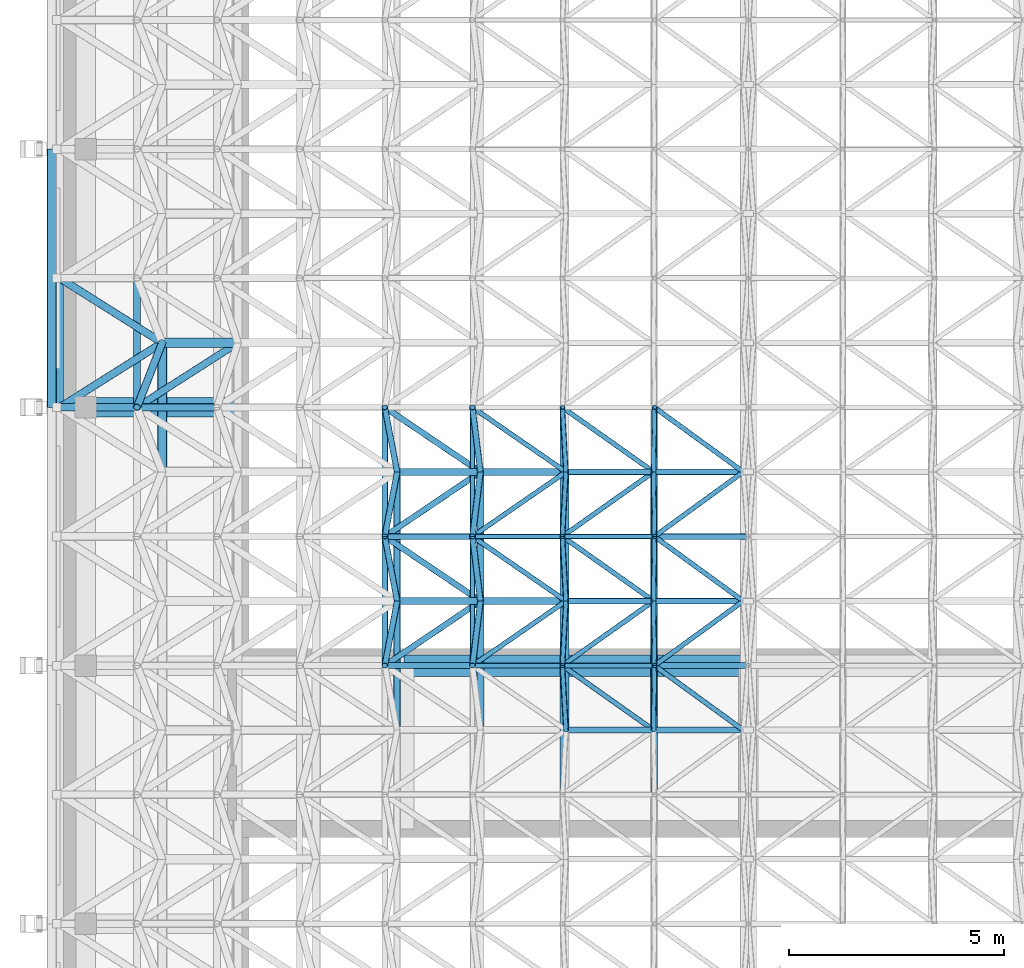
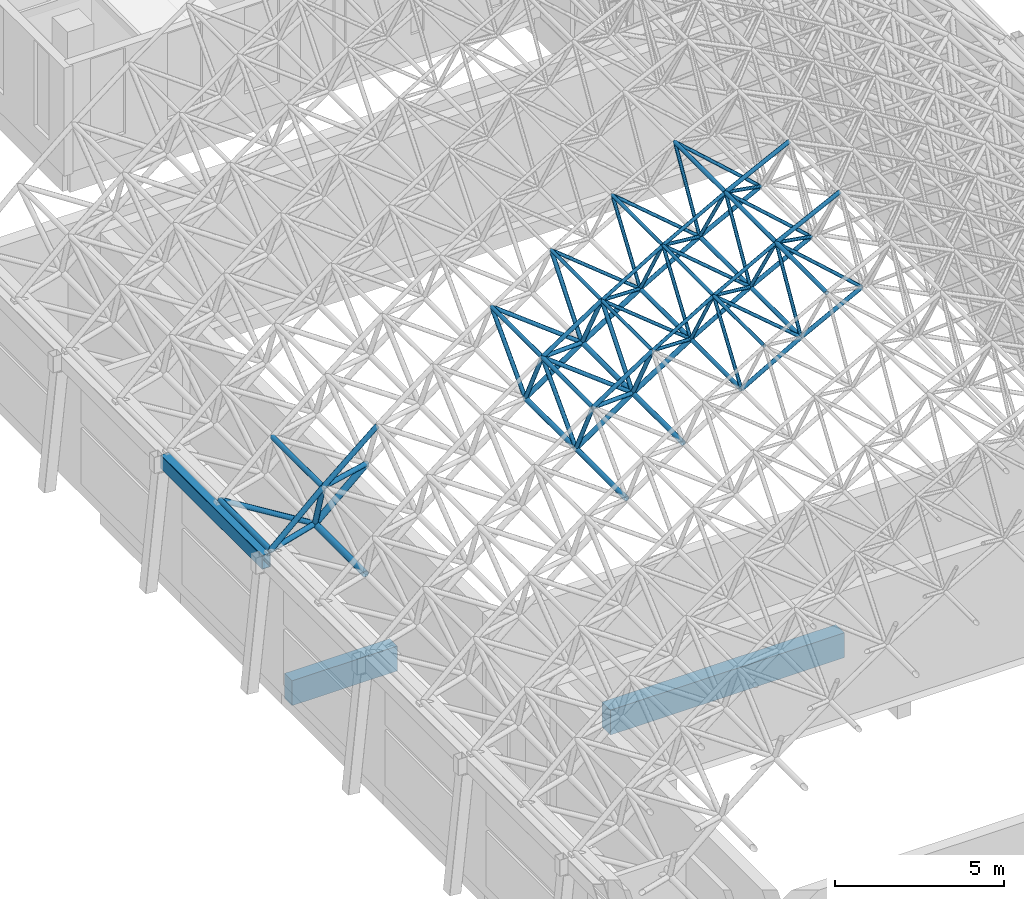
# One storey, part 17 of 141: 82 members, 3 beams.
"""IFC4 building model written with IfcOpenShell, lengths in metres."""

from ifc_helpers import new_model, si_unit, direction, frame, origin, origin_2d, place, context, subcontext, project, spatial, rectangle, hollow_rectangle, hollow_circle, extrude, material, material_profile, profile_set, type_object, element, save


model = new_model("IFC4")

# Units and contexts
model_context = context("Model", 3, precision=1e-05, world=origin(), true_north=direction((0.0, 1.0)))
body_context = subcontext(model_context, "Body", "Model", "MODEL_VIEW")
ifc_project = project(units=[si_unit("LENGTHUNIT", "METRE"), si_unit("AREAUNIT", "SQUARE_METRE"), si_unit("VOLUMEUNIT", "CUBIC_METRE"), si_unit("PLANEANGLEUNIT", "RADIAN"), si_unit("MASSUNIT", "GRAM", prefix="KILO")], contexts=[model_context])

# Site, building, storey
site_placement = place(None, origin())
site = spatial("IfcSite", under=ifc_project, at=site_placement, CompositionType="ELEMENT")
building_placement = place(site_placement, origin())
building = spatial("IfcBuilding", under=site, at=building_placement, Name="Lantern Court Media Centre", CompositionType="ELEMENT")
storey_placement = place(building_placement, frame((0.0, 0.0, 9.60009765625)))
storey = spatial("IfcBuildingStorey", under=building, at=storey_placement, Name="L02", CompositionType="ELEMENT", Elevation=9.60009765625)

# Members
ifc_material_1 = material(Name="Steel S355J2 (EN 10025-2)", Category="steel")
ifc_material_profile_1 = material_profile(ifc_material_1, hollow_circle(Radius=0.06982421875, WallThickness=0.00634765625, at=origin_2d()), Name="Cinema Hall bottom CHS 139.7x6.3")
ifc_profile_set_1 = profile_set([ifc_material_profile_1], Name="Steel S355J2 (EN 10025-2)")
member_type_1 = type_object("IfcMemberType", Name="Cinema Hall bottom CHS 139.7x6.3", PredefinedType="CHORD", material=ifc_profile_set_1)
for number, where, z_axis, x_axis, name in (
    (1, (11.76025390625, 14.5, 11.04443359375), (0.0, 1.0, 0.0), (-1.0, 0.0, 0.0), "Cinema Hall bottom chord 06-06"),
    (2, (13.796875, 14.5, 12.21337890625), (0.0, 1.0, 0.0), (-1.0, 0.0, 0.0), "Cinema Hall bottom chord 07-06"),
    (3, (11.76025390625, 17.5, 11.04443359375), (0.0, 1.0, 0.0), (-1.0, 0.0, 0.0), "Cinema Hall bottom chord 06-07"),
    (4, (13.796875, 17.5, 12.21337890625), (0.0, 1.0, 0.0), (-1.0, 0.0, 0.0), "Cinema Hall bottom chord 07-07"),
):
    element("IfcMember", number, at=place(storey_placement, frame(where, z_axis=z_axis, x_axis=x_axis)), inside=storey, type_object=member_type_1, Name=name, PredefinedType="CHORD", context=body_context, shape_type="SweptSolid", body=[
        extrude(hollow_circle(Radius=0.06982421875, WallThickness=0.00634765625, at=origin_2d()), origin(), (0.0, 0.0, 1.0), 3.0),
    ])
member_1_placement = place(storey_placement, frame((11.76025390625, 14.5, 11.04443359375), z_axis=(0.867294659253, 0.0, 0.497795112503), x_axis=(0.0, 1.0, 0.0)))
element("IfcMember", 5, at=member_1_placement, inside=storey, type_object=member_type_1, Name="Cinema Hall bottom chord 06-06 across", PredefinedType="CHORD", context=body_context, shape_type="SweptSolid", body=[
    extrude(hollow_circle(Radius=0.06982421875, WallThickness=0.00634765625, at=origin_2d()), origin(), (0.0, 0.0, 1.0), 2.34814453125),
])
member_2_placement = place(storey_placement, frame((13.796875, 14.5, 12.21337890625), z_axis=(0.88681645353, 0.0, 0.462121821329), x_axis=(0.0, 1.0, 0.0)))
element("IfcMember", 6, at=member_2_placement, inside=storey, type_object=member_type_1, Name="Cinema Hall bottom chord 07-06 across", PredefinedType="CHORD", context=body_context, shape_type="SweptSolid", body=[
    extrude(hollow_circle(Radius=0.06982421875, WallThickness=0.00634765625, at=origin_2d()), origin(), (0.0, 0.0, 1.0), 2.348388671875),
])
member_3_placement = place(storey_placement, frame((11.76025390625, 17.5, 11.04443359375), z_axis=(0.867294659253, 0.0, 0.497795112503), x_axis=(0.0, 1.0, 0.0)))
element("IfcMember", 7, at=member_3_placement, inside=storey, type_object=member_type_1, Name="Cinema Hall bottom chord 06-07 across", PredefinedType="CHORD", context=body_context, shape_type="SweptSolid", body=[
    extrude(hollow_circle(Radius=0.06982421875, WallThickness=0.00634765625, at=origin_2d()), origin(), (0.0, 0.0, 1.0), 2.34814453125),
])
member_4_placement = place(storey_placement, frame((13.796875, 17.5, 12.21337890625), z_axis=(0.88681645353, 0.0, 0.462121821329), x_axis=(0.0, 1.0, 0.0)))
element("IfcMember", 8, at=member_4_placement, inside=storey, type_object=member_type_1, Name="Cinema Hall bottom chord 07-07 across", PredefinedType="CHORD", context=body_context, shape_type="SweptSolid", body=[
    extrude(hollow_circle(Radius=0.06982421875, WallThickness=0.00634765625, at=origin_2d()), origin(), (0.0, 0.0, 1.0), 2.348388671875),
])
member_5_placement = place(storey_placement, frame((11.76025390625, 20.5, 11.04443359375), z_axis=(0.867294659253, 0.0, 0.497795112503), x_axis=(0.0, 1.0, 0.0)))
element("IfcMember", 9, at=member_5_placement, inside=storey, type_object=member_type_1, Name="Cinema Hall bottom chord 06-08 across", PredefinedType="CHORD", context=body_context, shape_type="SweptSolid", body=[
    extrude(hollow_circle(Radius=0.06982421875, WallThickness=0.00634765625, at=origin_2d()), origin(), (0.0, 0.0, 1.0), 2.34814453125),
])
member_6_placement = place(storey_placement, frame((13.796875, 20.5, 12.21337890625), z_axis=(0.88681645353, 0.0, 0.462121821329), x_axis=(0.0, 1.0, 0.0)))
element("IfcMember", 10, at=member_6_placement, inside=storey, type_object=member_type_1, Name="Cinema Hall bottom chord 07-08 across", PredefinedType="CHORD", context=body_context, shape_type="SweptSolid", body=[
    extrude(hollow_circle(Radius=0.06982421875, WallThickness=0.00634765625, at=origin_2d()), origin(), (0.0, 0.0, 1.0), 2.348388671875),
])
ifc_material_profile_2 = material_profile(ifc_material_1, hollow_circle(Radius=0.084228515625, WallThickness=0.00634765625, at=origin_2d()), Name="Cinema Hall bottom CHS 168.3x6.3")
ifc_profile_set_2 = profile_set([ifc_material_profile_2], Name="Steel S355J2 (EN 10025-2)")
member_type_2 = type_object("IfcMemberType", Name="Cinema Hall bottom CHS 168.3x6.3", PredefinedType="CHORD", material=ifc_profile_set_2)
for number, where, z_axis, x_axis, name in (
    (11, (9.772705078125, 14.5, 9.7939453125), (0.0, 1.0, 0.0), (-1.0, 0.0, 0.0), "Cinema Hall bottom chord 05-06"),
    (12, (9.772705078125, 17.5, 9.7939453125), (0.0, 1.0, 0.0), (-1.0, 0.0, 0.0), "Cinema Hall bottom chord 05-07"),
):
    element("IfcMember", number, at=place(storey_placement, frame(where, z_axis=z_axis, x_axis=x_axis)), inside=storey, type_object=member_type_2, Name=name, PredefinedType="CHORD", context=body_context, shape_type="SweptSolid", body=[
        extrude(hollow_circle(Radius=0.084228515625, WallThickness=0.00634765625, at=origin_2d()), origin(), (0.0, 0.0, 1.0), 3.0),
    ])
for number, where, z_axis, x_axis, name in (
    (13, (9.772705078125, 17.5, 9.7939453125), (0.846411623189, 0.0, 0.532529214344), (0.0, 1.0, 0.0), "Cinema Hall bottom chord 05-07 across"),
    (14, (9.772705078125, 20.5, 9.7939453125), (0.846411623189, 0.0, 0.532529214344), (0.0, 1.0, 0.0), "Cinema Hall bottom chord 05-08 across"),
):
    element("IfcMember", number, at=place(storey_placement, frame(where, z_axis=z_axis, x_axis=x_axis)), inside=storey, type_object=member_type_2, Name=name, PredefinedType="CHORD", context=body_context, shape_type="SweptSolid", body=[
        extrude(hollow_circle(Radius=0.084228515625, WallThickness=0.00634765625, at=origin_2d()), origin(), (0.0, 0.0, 1.0), 2.34814453125),
    ])
ifc_material_profile_3 = material_profile(ifc_material_1, hollow_circle(Radius=0.084228515625, WallThickness=0.008056640625, at=origin_2d()), Name="Cinema Hall bottom CHS 168.3x8")
ifc_profile_set_3 = profile_set([ifc_material_profile_3], Name="Steel S355J2 (EN 10025-2)")
member_type_3 = type_object("IfcMemberType", Name="Cinema Hall bottom CHS 168.3x8", PredefinedType="CHORD", material=ifc_profile_set_3)
for number, where, z_axis, x_axis, name in (
    (15, (7.837646484375, 14.5, 8.463623046875), (0.0, 1.0, 0.0), (-1.0, 0.0, 0.0), "Cinema Hall bottom chord 04-06"),
    (16, (7.837646484375, 17.5, 8.463623046875), (0.0, 1.0, 0.0), (-1.0, 0.0, 0.0), "Cinema Hall bottom chord 04-07"),
):
    element("IfcMember", number, at=place(storey_placement, frame(where, z_axis=z_axis, x_axis=x_axis)), inside=storey, type_object=member_type_3, Name=name, PredefinedType="CHORD", context=body_context, shape_type="SweptSolid", body=[
        extrude(hollow_circle(Radius=0.084228515625, WallThickness=0.008056640625, at=origin_2d()), origin(), (0.0, 0.0, 1.0), 3.0),
    ])
for number, where, z_axis, x_axis, name in (
    (17, (7.837646484375, 17.5, 8.463623046875), (0.824047991233, 0.0, 0.56651999801), (0.0, 1.0, 0.0), "Cinema Hall bottom chord 04-07 across"),
    (18, (7.837646484375, 20.5, 8.463623046875), (0.824047991233, 0.0, 0.56651999801), (0.0, 1.0, 0.0), "Cinema Hall bottom chord 04-08 across"),
):
    element("IfcMember", number, at=place(storey_placement, frame(where, z_axis=z_axis, x_axis=x_axis)), inside=storey, type_object=member_type_3, Name=name, PredefinedType="CHORD", context=body_context, shape_type="SweptSolid", body=[
        extrude(hollow_circle(Radius=0.084228515625, WallThickness=0.008056640625, at=origin_2d()), origin(), (0.0, 0.0, 1.0), 2.34814453125),
    ])
ifc_material_profile_4 = material_profile(ifc_material_1, hollow_circle(Radius=0.109619140625, WallThickness=0.010009765625, at=origin_2d()), Name="Cinema Hall bottom CHS 219.1x10")
ifc_profile_set_4 = profile_set([ifc_material_profile_4], Name="Steel S355J2 (EN 10025-2)")
member_type_4 = type_object("IfcMemberType", Name="Cinema Hall bottom CHS 219.1x10", PredefinedType="CHORD", material=ifc_profile_set_4)
member_7_placement = place(storey_placement, frame((2.378662109375, 20.5, 4.016845703125), z_axis=(0.0, 1.0, 0.0), x_axis=(-1.0, 0.0, 0.0)))
element("IfcMember", 19, at=member_7_placement, inside=storey, type_object=member_type_4, Name="Cinema Hall bottom chord 01-08", PredefinedType="CHORD", context=body_context, shape_type="SweptSolid", body=[
    extrude(hollow_circle(Radius=0.109619140625, WallThickness=0.010009765625, at=origin_2d()), origin(), (0.0, 0.0, 1.0), 3.0),
])
member_8_placement = place(storey_placement, frame((2.378662109375, 23.5, 4.016845703125), z_axis=(0.749030294531, 0.0, 0.662535748375), x_axis=(0.0, 1.0, 0.0)))
element("IfcMember", 20, at=member_8_placement, inside=storey, type_object=member_type_4, Name="Cinema Hall bottom chord 01-09 across", PredefinedType="CHORD", context=body_context, shape_type="SweptSolid", body=[
    extrude(hollow_circle(Radius=0.109619140625, WallThickness=0.010009765625, at=origin_2d()), origin(), (0.0, 0.0, 1.0), 2.348388671875),
])
ifc_material_profile_5 = material_profile(ifc_material_1, hollow_circle(Radius=0.05712890625, WallThickness=0.0048828125, at=origin_2d()), Name="Cinema Hall diagonal CHS 114.3x5")
ifc_profile_set_5 = profile_set([ifc_material_profile_5], Name="Steel S355J2 (EN 10025-2)")
member_type_5 = type_object("IfcMemberType", Name="Cinema Hall diagonal CHS 114.3x5", PredefinedType="BRACE", material=ifc_profile_set_5)
for number, where, z_axis, x_axis, name in (
    (21, (15.87939453125, 14.5, 13.298583984375), (-0.706879781117, 0.513851085564, 0.486084392789), (-0.587989591395, -0.808868493892, 0.0), "Cinema Hall diagonal 08-06-4"),
    (22, (15.87939453125, 17.5, 13.298583984375), (-0.706879781117, -0.513851085564, 0.486084392789), (0.587989591395, -0.808868493892, 0.0), "Cinema Hall diagonal 08-07-1"),
    (23, (15.87939453125, 17.5, 13.298583984375), (-0.706879781117, 0.513851085564, 0.486084392789), (-0.587989591395, -0.808868493892, 0.0), "Cinema Hall diagonal 08-07-4"),
    (24, (15.87939453125, 20.5, 13.298583984375), (-0.706879781117, -0.513851085564, 0.486084392789), (0.587989591395, -0.808868493892, 0.0), "Cinema Hall diagonal 08-08-1"),
    (25, (15.87939453125, 20.5, 13.298583984375), (-0.706879781117, 0.513851085564, 0.486084392789), (-0.587989591395, -0.808868493892, 0.0), "Cinema Hall diagonal 08-08-4"),
):
    element("IfcMember", number, at=place(storey_placement, frame(where, z_axis=z_axis, x_axis=x_axis)), inside=storey, type_object=member_type_5, Name=name, PredefinedType="BRACE", context=body_context, shape_type="SweptSolid", body=[
        extrude(hollow_circle(Radius=0.05712890625, WallThickness=0.0048828125, at=origin_2d()), origin(), (0.0, 0.0, 1.0), 2.919189453125),
    ])
ifc_material_profile_6 = material_profile(ifc_material_1, hollow_circle(Radius=0.05712890625, WallThickness=0.00634765625, at=origin_2d()), Name="Cinema Hall diagonal CHS 114.3x6.3")
ifc_profile_set_6 = profile_set([ifc_material_profile_6], Name="Steel S355J2 (EN 10025-2)")
member_type_6 = type_object("IfcMemberType", Name="Cinema Hall diagonal CHS 114.3x6.3", PredefinedType="BRACE", material=ifc_profile_set_6)
for number, where, z_axis, x_axis, name in (
    (26, (11.76025390625, 14.5, 11.04443359375), (-0.028351859734, 0.513846095007, 0.857413763999), (-0.998481283351, -0.055091984872, 0.0), "Cinema Hall diagonal 06-06-3"),
    (27, (13.796875, 14.5, 12.21337890625), (0.006523580306, 0.513857402591, 0.857850810283), (-0.99991942426, 0.012694289566, 0.0), "Cinema Hall diagonal 07-06-3"),
    (28, (13.796875, 14.5, 12.21337890625), (-0.726033609038, 0.513852147671, 0.456980490702), (-0.577701627838, -0.816248019411, 0.0), "Cinema Hall diagonal 07-06-4"),
    (29, (11.76025390625, 17.5, 11.04443359375), (-0.744001537395, -0.513842788417, 0.427115091218), (0.568286154794, -0.822830994962, 0.0), "Cinema Hall diagonal 06-07-1"),
    (30, (11.76025390625, 17.5, 11.04443359375), (-0.028351859734, -0.513846095007, 0.857413763999), (0.998481283351, -0.055091984872, 0.0), "Cinema Hall diagonal 06-07-2"),
    (31, (11.76025390625, 17.5, 11.04443359375), (-0.028351859734, 0.513846095007, 0.857413763999), (-0.998481283351, -0.055091984872, 0.0), "Cinema Hall diagonal 06-07-3"),
    (32, (11.76025390625, 17.5, 11.04443359375), (-0.744001537395, 0.513842788417, 0.427115091218), (-0.568286154794, -0.822830994962, 0.0), "Cinema Hall diagonal 06-07-4"),
    (33, (13.796875, 17.5, 12.21337890625), (-0.726033609038, -0.513852147671, 0.456980490702), (0.577701627838, -0.816248019411, 0.0), "Cinema Hall diagonal 07-07-1"),
    (34, (13.796875, 17.5, 12.21337890625), (0.006523580306, -0.513857402591, 0.857850810283), (0.99991942426, 0.012694289566, 0.0), "Cinema Hall diagonal 07-07-2"),
    (35, (13.796875, 17.5, 12.21337890625), (0.006523580306, 0.513857402591, 0.857850810283), (-0.99991942426, 0.012694289566, 0.0), "Cinema Hall diagonal 07-07-3"),
    (36, (13.796875, 17.5, 12.21337890625), (-0.726033609038, 0.513852147671, 0.456980490702), (-0.577701627838, -0.816248019411, 0.0), "Cinema Hall diagonal 07-07-4"),
    (37, (11.76025390625, 20.5, 11.04443359375), (-0.744001537395, -0.513842788417, 0.427115091218), (0.568286154794, -0.822830994962, 0.0), "Cinema Hall diagonal 06-08-1"),
    (38, (11.76025390625, 20.5, 11.04443359375), (-0.028351859734, -0.513846095007, 0.857413763999), (0.998481283351, -0.055091984872, 0.0), "Cinema Hall diagonal 06-08-2"),
    (39, (11.76025390625, 20.5, 11.04443359375), (-0.028351859734, 0.513846095007, 0.857413763999), (-0.998481283351, -0.055091984872, 0.0), "Cinema Hall diagonal 06-08-3"),
    (40, (11.76025390625, 20.5, 11.04443359375), (-0.744001537395, 0.513842788417, 0.427115091218), (-0.568286154794, -0.822830994962, 0.0), "Cinema Hall diagonal 06-08-4"),
    (41, (13.796875, 20.5, 12.21337890625), (-0.726033609038, -0.513852147671, 0.456980490702), (0.577701627838, -0.816248019411, 0.0), "Cinema Hall diagonal 07-08-1"),
    (42, (13.796875, 20.5, 12.21337890625), (0.006523580306, -0.513857402591, 0.857850810283), (0.99991942426, 0.012694289566, 0.0), "Cinema Hall diagonal 07-08-2"),
    (43, (13.796875, 20.5, 12.21337890625), (0.006523580306, 0.513857402591, 0.857850810283), (-0.99991942426, 0.012694289566, 0.0), "Cinema Hall diagonal 07-08-3"),
    (44, (13.796875, 20.5, 12.21337890625), (-0.726033609038, 0.513852147671, 0.456980490702), (-0.577701627838, -0.816248019411, 0.0), "Cinema Hall diagonal 07-08-4"),
):
    element("IfcMember", number, at=place(storey_placement, frame(where, z_axis=z_axis, x_axis=x_axis)), inside=storey, type_object=member_type_6, Name=name, PredefinedType="BRACE", context=body_context, shape_type="SweptSolid", body=[
        extrude(hollow_circle(Radius=0.05712890625, WallThickness=0.00634765625, at=origin_2d()), origin(), (0.0, 0.0, 1.0), 2.919189453125),
    ])
ifc_material_profile_7 = material_profile(ifc_material_1, hollow_circle(Radius=0.06982421875, WallThickness=0.00634765625, at=origin_2d()), Name="Cinema Hall diagonal CHS 139.7x6.3")
ifc_profile_set_7 = profile_set([ifc_material_profile_7], Name="Steel S355J2 (EN 10025-2)")
member_type_7 = type_object("IfcMemberType", Name="Cinema Hall diagonal CHS 139.7x6.3", PredefinedType="BRACE", material=ifc_profile_set_7)
member_9_placement = place(storey_placement, frame((9.772705078125, 17.5, 9.7939453125), z_axis=(-0.760744068819, -0.513853513503, 0.396513591718), x_axis=(0.559735691147, -0.828671199003, 0.0)))
element("IfcMember", 45, at=member_9_placement, inside=storey, type_object=member_type_7, Name="Cinema Hall diagonal 05-07-1", PredefinedType="BRACE", context=body_context, shape_type="SweptSolid", body=[
    extrude(hollow_circle(Radius=0.06982421875, WallThickness=0.00634765625, at=origin_2d()), origin(), (0.0, 0.0, 1.0), 2.919189453125),
])
for number, where, z_axis, x_axis, name in (
    (46, (9.772705078125, 17.5, 9.7939453125), (-0.063147046974, -0.513874776966, 0.855537938409), (0.992534194664, -0.121966685705, 0.0), "Cinema Hall diagonal 05-07-2"),
    (47, (9.772705078125, 17.5, 9.7939453125), (-0.063147046974, 0.513874776966, 0.855537938409), (-0.992534194664, -0.121966685705, 0.0), "Cinema Hall diagonal 05-07-3"),
):
    element("IfcMember", number, at=place(storey_placement, frame(where, z_axis=z_axis, x_axis=x_axis)), inside=storey, type_object=member_type_7, Name=name, PredefinedType="BRACE", context=body_context, shape_type="SweptSolid", body=[
        extrude(hollow_circle(Radius=0.06982421875, WallThickness=0.00634765625, at=origin_2d()), origin(), (0.0, 0.0, 1.0), 2.9189453125),
    ])
for number, where, z_axis, x_axis, name in (
    (48, (9.772705078125, 17.5, 9.7939453125), (-0.760744068819, 0.513853513503, 0.396513591718), (-0.559735691147, -0.828671199003, 0.0), "Cinema Hall diagonal 05-07-4"),
    (49, (9.772705078125, 20.5, 9.7939453125), (-0.760744068819, -0.513853513503, 0.396513591718), (0.559735691147, -0.828671199003, 0.0), "Cinema Hall diagonal 05-08-1"),
):
    element("IfcMember", number, at=place(storey_placement, frame(where, z_axis=z_axis, x_axis=x_axis)), inside=storey, type_object=member_type_7, Name=name, PredefinedType="BRACE", context=body_context, shape_type="SweptSolid", body=[
        extrude(hollow_circle(Radius=0.06982421875, WallThickness=0.00634765625, at=origin_2d()), origin(), (0.0, 0.0, 1.0), 2.919189453125),
    ])
for number, where, z_axis, x_axis, name in (
    (50, (9.772705078125, 20.5, 9.7939453125), (-0.063147046974, -0.513874776966, 0.855537938409), (0.992534194664, -0.121966685705, 0.0), "Cinema Hall diagonal 05-08-2"),
    (51, (9.772705078125, 20.5, 9.7939453125), (-0.063147046974, 0.513874776966, 0.855537938409), (-0.992534194664, -0.121966685705, 0.0), "Cinema Hall diagonal 05-08-3"),
):
    element("IfcMember", number, at=place(storey_placement, frame(where, z_axis=z_axis, x_axis=x_axis)), inside=storey, type_object=member_type_7, Name=name, PredefinedType="BRACE", context=body_context, shape_type="SweptSolid", body=[
        extrude(hollow_circle(Radius=0.06982421875, WallThickness=0.00634765625, at=origin_2d()), origin(), (0.0, 0.0, 1.0), 2.9189453125),
    ])
member_10_placement = place(storey_placement, frame((9.772705078125, 20.5, 9.7939453125), z_axis=(-0.760744068819, 0.513853513503, 0.396513591718), x_axis=(-0.559735691147, -0.828671199003, 0.0)))
element("IfcMember", 52, at=member_10_placement, inside=storey, type_object=member_type_7, Name="Cinema Hall diagonal 05-08-4", PredefinedType="BRACE", context=body_context, shape_type="SweptSolid", body=[
    extrude(hollow_circle(Radius=0.06982421875, WallThickness=0.00634765625, at=origin_2d()), origin(), (0.0, 0.0, 1.0), 2.919189453125),
])
ifc_material_profile_8 = material_profile(ifc_material_1, hollow_circle(Radius=0.06982421875, WallThickness=0.008056640625, at=origin_2d()), Name="Cinema Hall diagonal CHS 139.7x8")
ifc_profile_set_8 = profile_set([ifc_material_profile_8], Name="Steel S355J2 (EN 10025-2)")
member_type_8 = type_object("IfcMemberType", Name="Cinema Hall diagonal CHS 139.7x8", PredefinedType="BRACE", material=ifc_profile_set_8)
for number, where, z_axis, x_axis, name in (
    (53, (7.837646484375, 17.5, 8.463623046875), (-0.09785614588, -0.51387022247, 0.852268484207), (0.982346962135, -0.187068025016, 0.0), "Cinema Hall diagonal 04-07-2"),
    (54, (7.837646484375, 17.5, 8.463623046875), (-0.09785614588, 0.51387022247, 0.852268484207), (-0.982346962135, -0.187068025016, 0.0), "Cinema Hall diagonal 04-07-3"),
    (55, (7.837646484375, 20.5, 8.463623046875), (-0.09785614588, -0.51387022247, 0.852268484207), (0.982346962135, -0.187068025016, 0.0), "Cinema Hall diagonal 04-08-2"),
    (56, (7.837646484375, 20.5, 8.463623046875), (-0.09785614588, 0.51387022247, 0.852268484207), (-0.982346962135, -0.187068025016, 0.0), "Cinema Hall diagonal 04-08-3"),
):
    element("IfcMember", number, at=place(storey_placement, frame(where, z_axis=z_axis, x_axis=x_axis)), inside=storey, type_object=member_type_8, Name=name, PredefinedType="BRACE", context=body_context, shape_type="SweptSolid", body=[
        extrude(hollow_circle(Radius=0.06982421875, WallThickness=0.008056640625, at=origin_2d()), origin(), (0.0, 0.0, 1.0), 2.9189453125),
    ])
ifc_material_profile_9 = material_profile(ifc_material_1, hollow_circle(Radius=0.084228515625, WallThickness=0.010009765625, at=origin_2d()), Name="Cinema Hall diagonal CHS 168.3x10")
ifc_profile_set_9 = profile_set([ifc_material_profile_9], Name="Steel S355J2 (EN 10025-2)")
member_type_9 = type_object("IfcMemberType", Name="Cinema Hall diagonal CHS 168.3x10", PredefinedType="BRACE", material=ifc_profile_set_9)
member_11_placement = place(storey_placement, frame((4.1376953125, 23.5, 5.57275390625), z_axis=(-0.803309435106, -0.513850408047, 0.301084223465), x_axis=(0.538854579896, -0.842398802068, 0.0)))
element("IfcMember", 57, at=member_11_placement, inside=storey, type_object=member_type_9, Name="Cinema Hall diagonal 02-09-1", PredefinedType="BRACE", context=body_context, shape_type="SweptSolid", body=[
    extrude(hollow_circle(Radius=0.084228515625, WallThickness=0.010009765625, at=origin_2d()), origin(), (0.0, 0.0, 1.0), 2.919189453125),
])
ifc_material_profile_10 = material_profile(ifc_material_1, hollow_circle(Radius=0.0888671875, WallThickness=0.010009765625, at=origin_2d()), Name="Cinema Hall diagonal CHS 177.8x10")
ifc_profile_set_10 = profile_set([ifc_material_profile_10], Name="Steel S355J2 (EN 10025-2)")
member_type_10 = type_object("IfcMemberType", Name="Cinema Hall diagonal CHS 177.8x10", PredefinedType="BRACE", material=ifc_profile_set_10)
for number, where, z_axis, x_axis, name in (
    (58, (2.378662109375, 23.5, 4.016845703125), (-0.814865608485, -0.513859622142, 0.268220671909), (0.533404912089, -0.845860035561, 0.0), "Cinema Hall diagonal 01-09-1"),
    (59, (2.378662109375, 23.5, 4.016845703125), (-0.200719513512, -0.513841954591, 0.834073211773), (0.93145734948, -0.36385052714, 0.0), "Cinema Hall diagonal 01-09-2"),
    (60, (2.378662109375, 23.5, 4.016845703125), (-0.814865608485, 0.513859622142, 0.268220671909), (-0.533404912089, -0.845860035561, 0.0), "Cinema Hall diagonal 01-09-4"),
):
    element("IfcMember", number, at=place(storey_placement, frame(where, z_axis=z_axis, x_axis=x_axis)), inside=storey, type_object=member_type_10, Name=name, PredefinedType="BRACE", context=body_context, shape_type="SweptSolid", body=[
        extrude(hollow_circle(Radius=0.0888671875, WallThickness=0.010009765625, at=origin_2d()), origin(), (0.0, 0.0, 1.0), 2.919189453125),
    ])

# Beam
ifc_material_profile_11 = material_profile(ifc_material_1, hollow_rectangle(XDim=0.300048828125, YDim=0.5, WallThickness=0.01611328125, InnerFilletRadius=0.01611328125, OuterFilletRadius=0.02392578125, at=origin_2d()), Name="Cinema Hall edge girder RHS 500x300x16")
ifc_profile_set_11 = profile_set([ifc_material_profile_11], Name="Steel S355J2 (EN 10025-2)")
beam_type_1 = type_object("IfcBeamType", Name="Cinema Hall edge girder RHS 500x300x16", PredefinedType="BEAM", material=ifc_profile_set_11)
beam_1_placement = place(storey_placement, frame((-0.14990234375, 22.0, 4.449951171875), z_axis=(0.0, 1.0, 0.0), x_axis=(-1.0, 0.0, 0.0)))
element("IfcBeam", 61, at=beam_1_placement, inside=storey, type_object=beam_type_1, Name="Cinema Hall edge girder west 5", PredefinedType="BEAM", context=body_context, shape_type="SweptSolid", body=[
    extrude(hollow_rectangle(XDim=0.300048828125, YDim=0.5, WallThickness=0.01611328125, InnerFilletRadius=0.01611328125, OuterFilletRadius=0.02392578125, at=origin_2d()), origin(), (0.0, 0.0, 1.0), 6.0),
])

# Members
ifc_material_profile_12 = material_profile(ifc_material_1, hollow_circle(Radius=0.05712890625, WallThickness=0.00634765625, at=origin_2d()), Name="Cinema Hall top CHS 114.3x6.3")
ifc_profile_set_12 = profile_set([ifc_material_profile_12], Name="Steel S355J2 (EN 10025-2)")
member_type_11 = type_object("IfcMemberType", Name="Cinema Hall top CHS 114.3x6.3", PredefinedType="CHORD", material=ifc_profile_set_12)
for number, where, z_axis, x_axis, name in (
    (62, (11.677490234375, 13.0, 13.54736328125), (0.0, 1.0, 0.0), (-1.0, 0.0, 0.0), "Cinema Hall top chord 07-06"),
    (63, (9.58837890625, 16.0, 12.291259765625), (0.0, 1.0, 0.0), (-1.0, 0.0, 0.0), "Cinema Hall top chord 06-07"),
    (64, (11.677490234375, 16.0, 13.54736328125), (0.0, 1.0, 0.0), (-1.0, 0.0, 0.0), "Cinema Hall top chord 07-07"),
    (65, (9.58837890625, 19.0, 12.291259765625), (0.0, 1.0, 0.0), (-1.0, 0.0, 0.0), "Cinema Hall top chord 06-08"),
    (66, (11.677490234375, 19.0, 13.54736328125), (0.0, 1.0, 0.0), (-1.0, 0.0, 0.0), "Cinema Hall top chord 07-08"),
):
    element("IfcMember", number, at=place(storey_placement, frame(where, z_axis=z_axis, x_axis=x_axis)), inside=storey, type_object=member_type_11, Name=name, PredefinedType="CHORD", context=body_context, shape_type="SweptSolid", body=[
        extrude(hollow_circle(Radius=0.05712890625, WallThickness=0.00634765625, at=origin_2d()), origin(), (0.0, 0.0, 1.0), 3.0),
    ])
for number, where, z_axis, x_axis, name in (
    (67, (9.58837890625, 16.0, 12.291259765625), (0.857015353865, 0.0, 0.515290872459), (0.0, 1.0, 0.0), "Cinema Hall top chord 06-07 across"),
    (68, (11.677490234375, 16.0, 13.54736328125), (0.87724791815, 0.0, 0.480037592384), (0.0, 1.0, 0.0), "Cinema Hall top chord 07-07 across"),
    (69, (9.58837890625, 19.0, 12.291259765625), (0.857015353865, 0.0, 0.515290872459), (0.0, 1.0, 0.0), "Cinema Hall top chord 06-08 across"),
    (70, (11.677490234375, 19.0, 13.54736328125), (0.87724791815, 0.0, 0.480037592384), (0.0, 1.0, 0.0), "Cinema Hall top chord 07-08 across"),
):
    element("IfcMember", number, at=place(storey_placement, frame(where, z_axis=z_axis, x_axis=x_axis)), inside=storey, type_object=member_type_11, Name=name, PredefinedType="CHORD", context=body_context, shape_type="SweptSolid", body=[
        extrude(hollow_circle(Radius=0.05712890625, WallThickness=0.00634765625, at=origin_2d()), origin(), (0.0, 0.0, 1.0), 2.437744140625),
    ])
ifc_material_profile_13 = material_profile(ifc_material_1, hollow_circle(Radius=0.06982421875, WallThickness=0.0048828125, at=origin_2d()), Name="Cinema Hall top CHS 139.7x5")
ifc_profile_set_13 = profile_set([ifc_material_profile_13], Name="Steel S355J2 (EN 10025-2)")
member_type_12 = type_object("IfcMemberType", Name="Cinema Hall top CHS 139.7x5", PredefinedType="CHORD", material=ifc_profile_set_13)
for number, where, z_axis, x_axis, name in (
    (71, (13.81591796875, 13.0, 14.717529296875), (0.0, 1.0, 0.0), (-1.0, 0.0, 0.0), "Cinema Hall top chord 08-06"),
    (72, (13.81591796875, 16.0, 14.717529296875), (0.0, 1.0, 0.0), (-1.0, 0.0, 0.0), "Cinema Hall top chord 08-07"),
    (73, (13.81591796875, 19.0, 14.717529296875), (0.0, 1.0, 0.0), (-1.0, 0.0, 0.0), "Cinema Hall top chord 08-08"),
):
    element("IfcMember", number, at=place(storey_placement, frame(where, z_axis=z_axis, x_axis=x_axis)), inside=storey, type_object=member_type_12, Name=name, PredefinedType="CHORD", context=body_context, shape_type="SweptSolid", body=[
        extrude(hollow_circle(Radius=0.06982421875, WallThickness=0.0048828125, at=origin_2d()), origin(), (0.0, 0.0, 1.0), 3.0),
    ])
for number, where, z_axis, x_axis, name in (
    (74, (13.81591796875, 16.0, 14.717529296875), (0.896023995237, 0.0, 0.444005630549), (0.0, 1.0, 0.0), "Cinema Hall top chord 08-07 across"),
    (75, (13.81591796875, 19.0, 14.717529296875), (0.896023995237, 0.0, 0.444005630549), (0.0, 1.0, 0.0), "Cinema Hall top chord 08-08 across"),
):
    element("IfcMember", number, at=place(storey_placement, frame(where, z_axis=z_axis, x_axis=x_axis)), inside=storey, type_object=member_type_12, Name=name, PredefinedType="CHORD", context=body_context, shape_type="SweptSolid", body=[
        extrude(hollow_circle(Radius=0.06982421875, WallThickness=0.0048828125, at=origin_2d()), origin(), (0.0, 0.0, 1.0), 2.4375),
    ])
ifc_material_profile_14 = material_profile(ifc_material_1, hollow_circle(Radius=0.06982421875, WallThickness=0.00634765625, at=origin_2d()), Name="Cinema Hall top CHS 139.7x6.3")
ifc_profile_set_14 = profile_set([ifc_material_profile_14], Name="Steel S355J2 (EN 10025-2)")
member_type_13 = type_object("IfcMemberType", Name="Cinema Hall top CHS 139.7x6.3", PredefinedType="CHORD", material=ifc_profile_set_14)
for number, where, z_axis, x_axis, name in (
    (76, (7.552001953125, 16.0, 10.951416015625), (0.0, 1.0, 0.0), (-1.0, 0.0, 0.0), "Cinema Hall top chord 05-07"),
    (77, (7.552001953125, 19.0, 10.951416015625), (0.0, 1.0, 0.0), (-1.0, 0.0, 0.0), "Cinema Hall top chord 05-08"),
):
    element("IfcMember", number, at=place(storey_placement, frame(where, z_axis=z_axis, x_axis=x_axis)), inside=storey, type_object=member_type_13, Name=name, PredefinedType="CHORD", context=body_context, shape_type="SweptSolid", body=[
        extrude(hollow_circle(Radius=0.06982421875, WallThickness=0.00634765625, at=origin_2d()), origin(), (0.0, 0.0, 1.0), 3.0),
    ])
for number, where, z_axis, x_axis, name in (
    (78, (7.552001953125, 16.0, 10.951416015625), (0.835394087943, 0.0, 0.549651451221), (0.0, 1.0, 0.0), "Cinema Hall top chord 05-07 across"),
    (79, (7.552001953125, 19.0, 10.951416015625), (0.835394087943, 0.0, 0.549651451221), (0.0, 1.0, 0.0), "Cinema Hall top chord 05-08 across"),
):
    element("IfcMember", number, at=place(storey_placement, frame(where, z_axis=z_axis, x_axis=x_axis)), inside=storey, type_object=member_type_13, Name=name, PredefinedType="CHORD", context=body_context, shape_type="SweptSolid", body=[
        extrude(hollow_circle(Radius=0.06982421875, WallThickness=0.00634765625, at=origin_2d()), origin(), (0.0, 0.0, 1.0), 2.437744140625),
    ])
ifc_material_profile_15 = material_profile(ifc_material_1, hollow_circle(Radius=0.084228515625, WallThickness=0.010009765625, at=origin_2d()), Name="Cinema Hall top CHS 168.3x10")
ifc_profile_set_15 = profile_set([ifc_material_profile_15], Name="Steel S355J2 (EN 10025-2)")
member_type_14 = type_object("IfcMemberType", Name="Cinema Hall top CHS 168.3x10", PredefinedType="CHORD", material=ifc_profile_set_15)
member_12_placement = place(storey_placement, frame((1.792724609375, 22.0, 6.45166015625), z_axis=(0.0, 1.0, 0.0), x_axis=(-1.0, 0.0, 0.0)))
element("IfcMember", 80, at=member_12_placement, inside=storey, type_object=member_type_14, Name="Cinema Hall top chord 02-09", PredefinedType="CHORD", context=body_context, shape_type="SweptSolid", body=[
    extrude(hollow_circle(Radius=0.084228515625, WallThickness=0.010009765625, at=origin_2d()), origin(), (0.0, 0.0, 1.0), 3.0),
])
member_13_placement = place(storey_placement, frame((1.792724609375, 22.0, 6.45166015625), z_axis=(0.762393833283, 0.0, 0.647113315403), x_axis=(0.0, 1.0, 0.0)))
element("IfcMember", 81, at=member_13_placement, inside=storey, type_object=member_type_14, Name="Cinema Hall top chord 02-09 across", PredefinedType="CHORD", context=body_context, shape_type="SweptSolid", body=[
    extrude(hollow_circle(Radius=0.084228515625, WallThickness=0.010009765625, at=origin_2d()), origin(), (0.0, 0.0, 1.0), 2.4375),
])
ifc_material_profile_16 = material_profile(ifc_material_1, hollow_circle(Radius=0.0888671875, WallThickness=0.010009765625, at=origin_2d()), Name="Cinema Hall top CHS 177.8x10")
ifc_profile_set_16 = profile_set([ifc_material_profile_16], Name="Steel S355J2 (EN 10025-2)")
member_type_15 = type_object("IfcMemberType", Name="Cinema Hall top CHS 177.8x10", PredefinedType="CHORD", material=ifc_profile_set_16)
member_14_placement = place(storey_placement, frame((0.0, 22.0, 4.7998046875), z_axis=(0.0, 1.0, 0.0), x_axis=(-1.0, 0.0, 0.0)))
element("IfcMember", 82, at=member_14_placement, inside=storey, type_object=member_type_15, Name="Cinema Hall top chord 01-09", PredefinedType="CHORD", context=body_context, shape_type="SweptSolid", body=[
    extrude(hollow_circle(Radius=0.0888671875, WallThickness=0.010009765625, at=origin_2d()), origin(), (0.0, 0.0, 1.0), 3.0),
])
member_15_placement = place(storey_placement, frame((0.0, 22.0, 4.7998046875), z_axis=(0.735409817039, 0.0, 0.677622609572), x_axis=(0.0, 1.0, 0.0)))
element("IfcMember", 83, at=member_15_placement, inside=storey, type_object=member_type_15, Name="Cinema Hall top chord 01-09 across", PredefinedType="CHORD", context=body_context, shape_type="SweptSolid", body=[
    extrude(hollow_circle(Radius=0.0888671875, WallThickness=0.010009765625, at=origin_2d()), origin(), (0.0, 0.0, 1.0), 2.437744140625),
])

# Beams
ifc_material_2 = material(Name="Concrete C35", Category="concrete")
ifc_material_profile_17 = material_profile(ifc_material_2, rectangle(XDim=0.449951171875, YDim=0.89990234375, at=origin_2d()), Name="RC 450x900")
ifc_profile_set_17 = profile_set([ifc_material_profile_17], Name="Concrete C35")
beam_type_2 = type_object("IfcBeamType", Name="RC BEAM 450x900", PredefinedType="BEAM", material=ifc_profile_set_17)
beam_2_placement = place(storey_placement, frame((0.60009765625, 22.0, -0.4501953125), z_axis=(1.0, 0.0, 0.0), x_axis=(0.0, 1.0, 0.0)))
element("IfcBeam", 84, at=beam_2_placement, inside=storey, type_object=beam_type_2, Name="HB-V1-L02-FX4-0", PredefinedType="BEAM", context=body_context, shape_type="SweptSolid", body=[
    extrude(rectangle(XDim=0.449951171875, YDim=0.89990234375, at=origin_2d()), origin(), (0.0, 0.0, 1.0), 3.599853515625),
])
ifc_material_profile_18 = material_profile(ifc_material_2, rectangle(XDim=0.5, YDim=0.89990234375, at=origin_2d()), Name="RC 500x900")
ifc_profile_set_18 = profile_set([ifc_material_profile_18], Name="Concrete C35")
beam_type_3 = type_object("IfcBeamType", Name="RC BEAM 500x900", PredefinedType="BEAM", material=ifc_profile_set_18)
beam_3_placement = place(storey_placement, frame((8.0, 16.0, -0.4501953125), z_axis=(1.0, 0.0, 0.0), x_axis=(0.0, 1.0, 0.0)))
element("IfcBeam", 85, at=beam_3_placement, inside=storey, type_object=beam_type_3, Name="HB-V1-L02-FX3-1", PredefinedType="BEAM", context=body_context, shape_type="SweptSolid", body=[
    extrude(rectangle(XDim=0.5, YDim=0.89990234375, at=origin_2d()), origin(), (0.0, 0.0, 1.0), 8.0),
])

save(model, "model.ifc")
